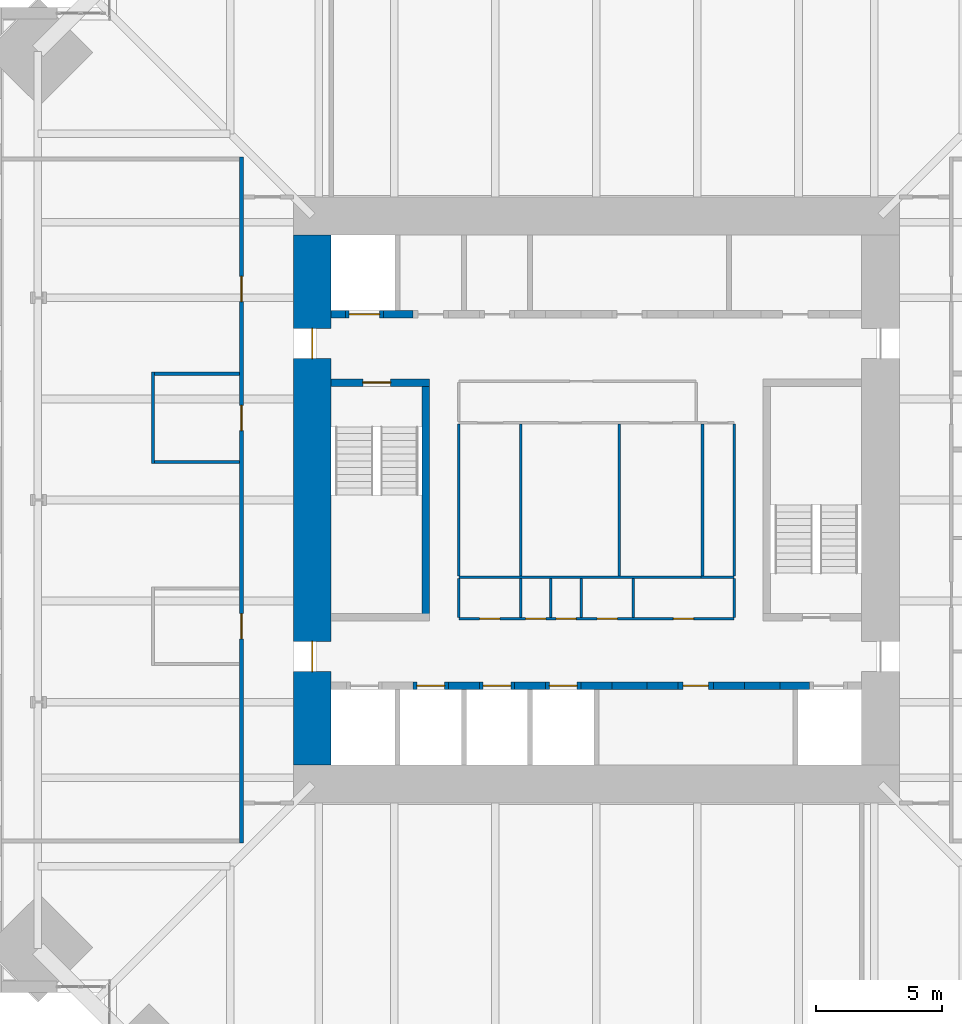
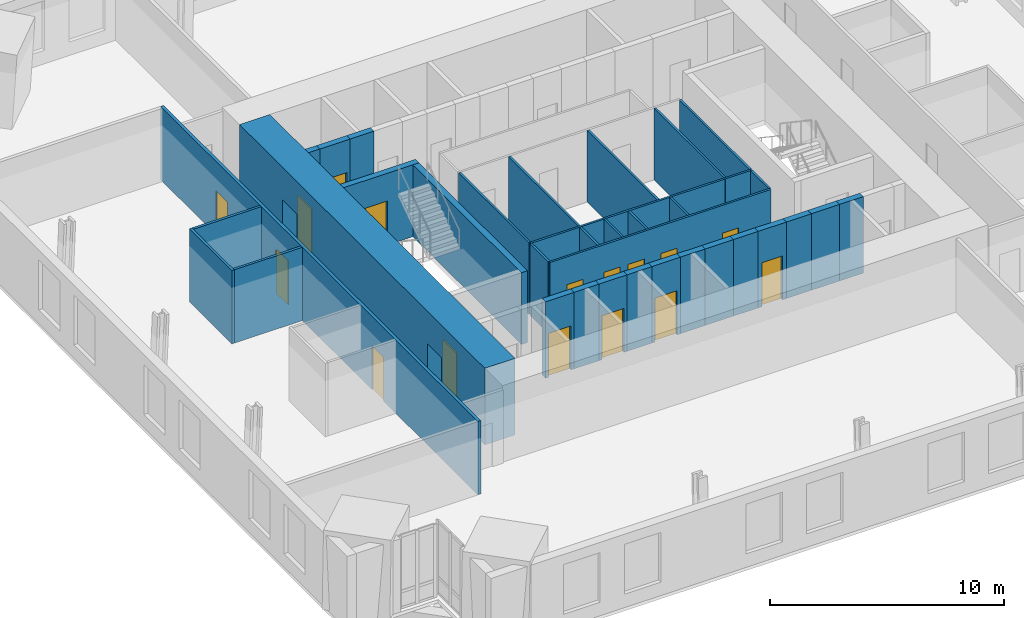
# One storey, part 11 of 15: 36 walls, 16 doors, 16 openings.
"""IFC4 building model written with IfcOpenShell, lengths in metres."""

from ifc_helpers import new_model, si_unit, direction, frame, frame_2d, origin, place, context, subcontext, project, spatial, rectangle, extrude, material, layer, layer_set, type_object, element, fill, save


model = new_model("IFC4")

# Units and contexts
model_context = context("Model", 3, precision=1e-05, world=origin(), true_north=direction((0.0, 1.0)))
body_context = subcontext(model_context, "Body", "Model", "MODEL_VIEW")
ifc_project = project(units=[si_unit("LENGTHUNIT", "METRE"), si_unit("AREAUNIT", "SQUARE_METRE"), si_unit("VOLUMEUNIT", "CUBIC_METRE"), si_unit("PLANEANGLEUNIT", "RADIAN"), si_unit("MASSUNIT", "GRAM", prefix="KILO")], contexts=[model_context])

# Site, building, storey
site_placement = place(None, origin())
site = spatial("IfcSite", under=ifc_project, at=site_placement, CompositionType="ELEMENT")
building_placement = place(site_placement, origin())
building = spatial("IfcBuilding", under=site, at=building_placement, Name="Peilmerk Tower", CompositionType="ELEMENT")
storey_placement = place(building_placement, frame((0.0, 0.0, 217.800048828125)))
storey = spatial("IfcBuildingStorey", under=building, at=storey_placement, Name="L47", CompositionType="ELEMENT", Elevation=217.800048828125)

# Wall, openings, doors
ifc_material_1 = material(Name="Calcium silicate block", Category="masonry")
ifc_layer_1 = layer(ifc_material_1, 0.14990234375)
ifc_layer_set_1 = layer_set([ifc_layer_1], Name="Calcium silicate block")
wall_type_1 = type_object("IfcWallType", Name="IW1 150 corridor partition, EI 60", PredefinedType="PARTITIONING", material=ifc_layer_set_1)
wall_1_placement = place(storey_placement, frame((-14.050048828125, 13.574951171875, 0.0), z_axis=(0.0, 0.0, 1.0), x_axis=(0.0, -1.0, 0.0)))
wall_1 = element("IfcWall", 1, at=wall_1_placement, inside=storey, type_object=wall_type_1, Name="Corridor wall W L47", PredefinedType="PARTITIONING", context=body_context, shape_type="SweptSolid", body=[
    extrude(rectangle(XDim=27.14990234375, YDim=0.14990234375, at=frame_2d((13.574951171875, 0.0))), origin(), (0.0, 0.0, 1.0), 3.829833984375),
])
opening_1_placement = place(wall_1_placement, frame((4.72509765625, 0.0, 0.0)))
opening_1 = element("IfcOpeningElement", 2, at=opening_1_placement, cuts=wall_1, Name="Opening D1", PredefinedType="OPENING", context=body_context, shape_type="SweptSolid", body=[
    extrude(rectangle(XDim=1.0, YDim=2.300048828125, at=frame_2d((0.5, 1.14990234375))), frame((0.0, 0.0849609375, 0.0), z_axis=(0.0, -1.0, 0.0), x_axis=(1.0, 0.0, 0.0)), (0.0, 0.0, 1.0), 0.169921875),
])
opening_2_placement = place(wall_1_placement, frame((9.824951171875, 0.0, 0.0)))
opening_2 = element("IfcOpeningElement", 3, at=opening_2_placement, cuts=wall_1, Name="Opening D1", PredefinedType="OPENING", context=body_context, shape_type="SweptSolid", body=[
    extrude(rectangle(XDim=1.0, YDim=2.300048828125, at=frame_2d((0.5, 1.14990234375))), frame((0.0, 0.0849609375, 0.0), z_axis=(0.0, -1.0, 0.0), x_axis=(1.0, 0.0, 0.0)), (0.0, 0.0, 1.0), 0.169921875),
])
opening_3_placement = place(wall_1_placement, frame((18.074951171875, 0.0, 0.0)))
opening_3 = element("IfcOpeningElement", 4, at=opening_3_placement, cuts=wall_1, Name="Opening D1", PredefinedType="OPENING", context=body_context, shape_type="SweptSolid", body=[
    extrude(rectangle(XDim=1.0, YDim=2.300048828125, at=frame_2d((0.5, 1.14990234375))), frame((0.0, 0.0849609375, 0.0), z_axis=(0.0, -1.0, 0.0), x_axis=(1.0, 0.0, 0.0)), (0.0, 0.0, 1.0), 0.169921875),
])
ifc_material_2 = material(Name="Timber door in steel frame", Category="steel")
door_type_1 = type_object("IfcDoorType", Name="D1 1000x2300 room door, EI2 30", OperationType="SINGLE_SWING_LEFT", PredefinedType="DOOR", material=ifc_material_2)
door_1_placement = place(opening_1_placement, frame((1.0, 0.0, 0.0), z_axis=(0.0, 0.0, 1.0), x_axis=(-1.0, 0.0, 0.0)))
door_1 = element("IfcDoor", 5, at=door_1_placement, inside=storey, type_object=door_type_1, Name="Door Office L47", OperationType="SINGLE_SWING_LEFT", OverallHeight=2.300048828125, OverallWidth=1.0, PredefinedType="DOOR", context=body_context, shape_type="SweptSolid", body=[
    extrude(rectangle(XDim=1.0, YDim=2.300048828125, at=frame_2d((0.5, 1.14990234375))), frame((0.0, 0.02490234375, 0.0), z_axis=(0.0, -1.0, 0.0), x_axis=(1.0, 0.0, 0.0)), (0.0, 0.0, 1.0), 0.050048828125),
])
fill(opening_1, door_1)
door_2_placement = place(opening_2_placement, frame((1.0, 0.0, 0.0), z_axis=(0.0, 0.0, 1.0), x_axis=(-1.0, 0.0, 0.0)))
door_2 = element("IfcDoor", 6, at=door_2_placement, inside=storey, type_object=door_type_1, Name="Door Pantry L47", OperationType="SINGLE_SWING_LEFT", OverallHeight=2.300048828125, OverallWidth=1.0, PredefinedType="DOOR", context=body_context, shape_type="SweptSolid", body=[
    extrude(rectangle(XDim=1.0, YDim=2.300048828125, at=frame_2d((0.5, 1.14990234375))), frame((0.0, 0.02490234375, 0.0), z_axis=(0.0, -1.0, 0.0), x_axis=(1.0, 0.0, 0.0)), (0.0, 0.0, 1.0), 0.050048828125),
])
fill(opening_2, door_2)
door_3_placement = place(opening_3_placement, frame((1.0, 0.0, 0.0), z_axis=(0.0, 0.0, 1.0), x_axis=(-1.0, 0.0, 0.0)))
door_3 = element("IfcDoor", 7, at=door_3_placement, inside=storey, type_object=door_type_1, Name="Door Focus room L47", OperationType="SINGLE_SWING_LEFT", OverallHeight=2.300048828125, OverallWidth=1.0, PredefinedType="DOOR", context=body_context, shape_type="SweptSolid", body=[
    extrude(rectangle(XDim=1.0, YDim=2.300048828125, at=frame_2d((0.5, 1.14990234375))), frame((0.0, 0.02490234375, 0.0), z_axis=(0.0, -1.0, 0.0), x_axis=(1.0, 0.0, 0.0)), (0.0, 0.0, 1.0), 0.050048828125),
])
fill(opening_3, door_3)

# Wall
ifc_material_3 = material(Name="Concrete C35/45", Category="concrete")
ifc_layer_2 = layer(ifc_material_3, 0.300048828125)
ifc_layer_set_2 = layer_set([ifc_layer_2], Name="Concrete C35/45")
wall_type_2 = type_object("IfcWallType", Name="IW3 300 concrete stair enclosure wall, EI 120", PredefinedType="SOLIDWALL", material=ifc_layer_set_2)
wall_2_placement = place(storey_placement, frame((-6.75, -4.800048828125, 0.0), z_axis=(0.0, 0.0, 1.0), x_axis=(0.0, 1.0, 0.0)))
element("IfcWall", 8, at=wall_2_placement, inside=storey, type_object=wall_type_2, Name="Stair 1 enclosure L47", PredefinedType="SOLIDWALL", context=body_context, shape_type="SweptSolid", body=[
    extrude(rectangle(XDim=9.60009765625, YDim=0.300048828125, at=frame_2d((4.800048828125, 0.0))), origin(), (0.0, 0.0, 1.0), 3.75),
])

# Wall, opening, door
wall_3_placement = place(storey_placement, frame((-10.5, 4.64990234375, 0.0), z_axis=(0.0, 0.0, 1.0), x_axis=(1.0, 0.0, 0.0)))
wall_3 = element("IfcWall", 9, at=wall_3_placement, inside=storey, type_object=wall_type_2, Name="Stair 1 enclosure L47", PredefinedType="SOLIDWALL", context=body_context, shape_type="SweptSolid", body=[
    extrude(rectangle(XDim=3.89990234375, YDim=0.300048828125, at=frame_2d((1.949951171875, 0.0))), origin(), (0.0, 0.0, 1.0), 3.75),
])
opening_4_placement = place(wall_3_placement, frame((1.25, 0.0, 0.0)))
opening_4 = element("IfcOpeningElement", 10, at=opening_4_placement, cuts=wall_3, Name="Opening D4", PredefinedType="OPENING", context=body_context, shape_type="SweptSolid", body=[
    extrude(rectangle(XDim=1.10009765625, YDim=2.300048828125, at=frame_2d((0.550048828125, 1.14990234375))), frame((0.0, 0.159912109375, 0.0), z_axis=(0.0, -1.0, 0.0), x_axis=(1.0, 0.0, 0.0)), (0.0, 0.0, 1.0), 0.320068359375),
])
ifc_material_4 = material(Name="Steel door in steel frame", Category="steel")
door_type_2 = type_object("IfcDoorType", Name="D4 1100x2300 stair door, EI2 60", OperationType="SINGLE_SWING_RIGHT", PredefinedType="DOOR", material=ifc_material_4)
door_4_placement = place(opening_4_placement, frame((1.10009765625, 0.0, 0.0), z_axis=(0.0, 0.0, 1.0), x_axis=(-1.0, 0.0, 0.0)))
door_4 = element("IfcDoor", 11, at=door_4_placement, inside=storey, type_object=door_type_2, Name="Stair 1 door L47", OperationType="SINGLE_SWING_RIGHT", OverallHeight=2.300048828125, OverallWidth=1.10009765625, PredefinedType="DOOR", context=body_context, shape_type="SweptSolid", body=[
    extrude(rectangle(XDim=1.10009765625, YDim=2.300048828125, at=frame_2d((0.550048828125, 1.14990234375))), frame((0.0, 0.02490234375, 0.0), z_axis=(0.0, -1.0, 0.0), x_axis=(1.0, 0.0, 0.0)), (0.0, 0.0, 1.0), 0.050048828125),
])
fill(opening_4, door_4)

# Walls
ifc_material_5 = material(Name="Plasterboard on steel studs", Category="steel")
ifc_layer_3 = layer(ifc_material_5, 0.10009765625)
ifc_layer_set_3 = layer_set([ifc_layer_3], Name="Plasterboard on steel studs")
wall_type_3 = type_object("IfcWallType", Name="IW4 100 WC partition", PredefinedType="PARTITIONING", material=ifc_layer_set_3)
wall_4_placement = place(storey_placement, frame((4.14990234375, -3.050048828125, 0.0), z_axis=(0.0, 0.0, 1.0), x_axis=(-1.0, 0.0, 0.0)))
element("IfcWall", 12, at=wall_4_placement, inside=storey, type_object=wall_type_3, Name="WC wall L47", PredefinedType="PARTITIONING", context=body_context, shape_type="SweptSolid", body=[
    extrude(rectangle(XDim=9.599853515625, YDim=0.10009765625, at=frame_2d((4.7998046875, 0.0))), origin(), (0.0, 0.0, 1.0), 3.75),
])
for number, where, z_axis, x_axis, name in (
    (13, (-5.449951171875, -3.0, 0.0), (0.0, 0.0, 1.0), (0.0, 1.0, 0.0), "WC wall L47"),
    (14, (-3.0, -3.0, 0.0), (0.0, 0.0, 1.0), (0.0, 1.0, 0.0), "WC wall L47"),
    (15, (0.89990234375, -3.0, 0.0), (0.0, 0.0, 1.0), (0.0, 1.0, 0.0), "WC wall L47"),
):
    element("IfcWall", number, at=place(storey_placement, frame(where, z_axis=z_axis, x_axis=x_axis)), inside=storey, type_object=wall_type_3, Name=name, PredefinedType="PARTITIONING", context=body_context, shape_type="SweptSolid", body=[
        extrude(rectangle(XDim=6.0, YDim=0.10009765625, at=frame_2d((3.0, 0.0))), origin(), (0.0, 0.0, 1.0), 3.75),
    ])
ifc_material_6 = material(Name="Calcium silicate board on steel studs", Category="steel")
ifc_layer_4 = layer(ifc_material_6, 0.10009765625)
ifc_layer_set_4 = layer_set([ifc_layer_4], Name="Calcium silicate board on steel studs")
wall_type_4 = type_object("IfcWallType", Name="IW5 100 riser enclosure wall, EI 60", PredefinedType="PARTITIONING", material=ifc_layer_set_4)
wall_5_placement = place(storey_placement, frame((5.449951171875, -3.050048828125, 0.0), z_axis=(0.0, 0.0, 1.0), x_axis=(-1.0, 0.0, 0.0)))
element("IfcWall", 16, at=wall_5_placement, inside=storey, type_object=wall_type_4, Name="Riser wall L47", PredefinedType="PARTITIONING", context=body_context, shape_type="SweptSolid", body=[
    extrude(rectangle(XDim=1.300048828125, YDim=0.10009765625, at=frame_2d((0.64990234375, 0.0))), origin(), (0.0, 0.0, 1.0), 3.75),
])
for number, where, z_axis, x_axis, name in (
    (17, (5.449951171875, 3.0, 0.0), (0.0, 0.0, 1.0), (0.0, -1.0, 0.0), "Riser wall L47"),
    (18, (4.199951171875, -3.0, 0.0), (0.0, 0.0, 1.0), (0.0, 1.0, 0.0), "Riser wall L47"),
):
    element("IfcWall", number, at=place(storey_placement, frame(where, z_axis=z_axis, x_axis=x_axis)), inside=storey, type_object=wall_type_4, Name=name, PredefinedType="PARTITIONING", context=body_context, shape_type="SweptSolid", body=[
        extrude(rectangle(XDim=6.0, YDim=0.10009765625, at=frame_2d((3.0, 0.0))), origin(), (0.0, 0.0, 1.0), 3.75),
    ])

# Wall, openings, doors
wall_6_placement = place(storey_placement, frame((5.449951171875, -4.699951171875, 0.0), z_axis=(0.0, 0.0, 1.0), x_axis=(-1.0, 0.0, 0.0)))
wall_6 = element("IfcWall", 19, at=wall_6_placement, inside=storey, type_object=wall_type_4, Name="Riser wall L47", PredefinedType="PARTITIONING", context=body_context, shape_type="SweptSolid", body=[
    extrude(rectangle(XDim=10.89990234375, YDim=0.10009765625, at=frame_2d((5.449951171875, 0.0))), origin(), (0.0, 0.0, 1.0), 3.75),
])
opening_5_placement = place(wall_6_placement, frame((9.27490234375, 0.0, 0.0)))
opening_5 = element("IfcOpeningElement", 20, at=opening_5_placement, cuts=wall_6, Name="Opening D7", PredefinedType="OPENING", context=body_context, shape_type="SweptSolid", body=[
    extrude(rectangle(XDim=0.800048828125, YDim=2.300048828125, at=frame_2d((0.39990234375, 1.14990234375))), frame((0.0, 0.06005859375, 0.0), z_axis=(0.0, -1.0, 0.0), x_axis=(1.0, 0.0, 0.0)), (0.0, 0.0, 1.0), 0.1201171875),
])
opening_6_placement = place(wall_6_placement, frame((7.449951171875, 0.0, 0.0)))
opening_6 = element("IfcOpeningElement", 21, at=opening_6_placement, cuts=wall_6, Name="Opening D7", PredefinedType="OPENING", context=body_context, shape_type="SweptSolid", body=[
    extrude(rectangle(XDim=0.800048828125, YDim=2.300048828125, at=frame_2d((0.39990234375, 1.14990234375))), frame((0.0, 0.06005859375, 0.0), z_axis=(0.0, -1.0, 0.0), x_axis=(1.0, 0.0, 0.0)), (0.0, 0.0, 1.0), 0.1201171875),
])
opening_7_placement = place(wall_6_placement, frame((6.25, 0.0, 0.0)))
opening_7 = element("IfcOpeningElement", 22, at=opening_7_placement, cuts=wall_6, Name="Opening D7", PredefinedType="OPENING", context=body_context, shape_type="SweptSolid", body=[
    extrude(rectangle(XDim=0.800048828125, YDim=2.300048828125, at=frame_2d((0.39990234375, 1.14990234375))), frame((0.0, 0.06005859375, 0.0), z_axis=(0.0, -1.0, 0.0), x_axis=(1.0, 0.0, 0.0)), (0.0, 0.0, 1.0), 0.1201171875),
])
opening_8_placement = place(wall_6_placement, frame((4.625, 0.0, 0.0)))
opening_8 = element("IfcOpeningElement", 23, at=opening_8_placement, cuts=wall_6, Name="Opening D7", PredefinedType="OPENING", context=body_context, shape_type="SweptSolid", body=[
    extrude(rectangle(XDim=0.800048828125, YDim=2.300048828125, at=frame_2d((0.39990234375, 1.14990234375))), frame((0.0, 0.06005859375, 0.0), z_axis=(0.0, -1.0, 0.0), x_axis=(1.0, 0.0, 0.0)), (0.0, 0.0, 1.0), 0.1201171875),
])
opening_9_placement = place(wall_6_placement, frame((1.60009765625, 0.0, 0.0)))
opening_9 = element("IfcOpeningElement", 24, at=opening_9_placement, cuts=wall_6, Name="Opening D7", PredefinedType="OPENING", context=body_context, shape_type="SweptSolid", body=[
    extrude(rectangle(XDim=0.800048828125, YDim=2.300048828125, at=frame_2d((0.39990234375, 1.14990234375))), frame((0.0, 0.06005859375, 0.0), z_axis=(0.0, -1.0, 0.0), x_axis=(1.0, 0.0, 0.0)), (0.0, 0.0, 1.0), 0.1201171875),
])
door_type_3 = type_object("IfcDoorType", Name="D7 800x2300 riser access door, EI2 60", OperationType="SINGLE_SWING_RIGHT", PredefinedType="DOOR", material=ifc_material_4)
door_5_placement = place(opening_5_placement, frame((0.800048828125, 0.0, 0.0), z_axis=(0.0, 0.0, 1.0), x_axis=(-1.0, 0.0, 0.0)))
door_5 = element("IfcDoor", 25, at=door_5_placement, inside=storey, type_object=door_type_3, Name="Cleaner's cupboard door L47", OperationType="SINGLE_SWING_RIGHT", OverallHeight=2.300048828125, OverallWidth=0.800048828125, PredefinedType="DOOR", context=body_context, shape_type="SweptSolid", body=[
    extrude(rectangle(XDim=0.800048828125, YDim=2.300048828125, at=frame_2d((0.39990234375, 1.14990234375))), frame((0.0, 0.02490234375, 0.0), z_axis=(0.0, -1.0, 0.0), x_axis=(1.0, 0.0, 0.0)), (0.0, 0.0, 1.0), 0.050048828125),
])
fill(opening_5, door_5)
door_6_placement = place(opening_6_placement, frame((0.800048828125, 0.0, 0.0), z_axis=(0.0, 0.0, 1.0), x_axis=(-1.0, 0.0, 0.0)))
door_6 = element("IfcDoor", 26, at=door_6_placement, inside=storey, type_object=door_type_3, Name="Electrical riser door L47", OperationType="SINGLE_SWING_RIGHT", OverallHeight=2.300048828125, OverallWidth=0.800048828125, PredefinedType="DOOR", context=body_context, shape_type="SweptSolid", body=[
    extrude(rectangle(XDim=0.800048828125, YDim=2.300048828125, at=frame_2d((0.39990234375, 1.14990234375))), frame((0.0, 0.02490234375, 0.0), z_axis=(0.0, -1.0, 0.0), x_axis=(1.0, 0.0, 0.0)), (0.0, 0.0, 1.0), 0.050048828125),
])
fill(opening_6, door_6)
door_7_placement = place(opening_7_placement, frame((0.800048828125, 0.0, 0.0), z_axis=(0.0, 0.0, 1.0), x_axis=(-1.0, 0.0, 0.0)))
door_7 = element("IfcDoor", 27, at=door_7_placement, inside=storey, type_object=door_type_3, Name="Data riser door L47", OperationType="SINGLE_SWING_RIGHT", OverallHeight=2.300048828125, OverallWidth=0.800048828125, PredefinedType="DOOR", context=body_context, shape_type="SweptSolid", body=[
    extrude(rectangle(XDim=0.800048828125, YDim=2.300048828125, at=frame_2d((0.39990234375, 1.14990234375))), frame((0.0, 0.02490234375, 0.0), z_axis=(0.0, -1.0, 0.0), x_axis=(1.0, 0.0, 0.0)), (0.0, 0.0, 1.0), 0.050048828125),
])
fill(opening_7, door_7)
door_8_placement = place(opening_8_placement, frame((0.800048828125, 0.0, 0.0), z_axis=(0.0, 0.0, 1.0), x_axis=(-1.0, 0.0, 0.0)))
door_8 = element("IfcDoor", 28, at=door_8_placement, inside=storey, type_object=door_type_3, Name="Electrical room door L47", OperationType="SINGLE_SWING_RIGHT", OverallHeight=2.300048828125, OverallWidth=0.800048828125, PredefinedType="DOOR", context=body_context, shape_type="SweptSolid", body=[
    extrude(rectangle(XDim=0.800048828125, YDim=2.300048828125, at=frame_2d((0.39990234375, 1.14990234375))), frame((0.0, 0.02490234375, 0.0), z_axis=(0.0, -1.0, 0.0), x_axis=(1.0, 0.0, 0.0)), (0.0, 0.0, 1.0), 0.050048828125),
])
fill(opening_8, door_8)
door_9_placement = place(opening_9_placement, frame((0.800048828125, 0.0, 0.0), z_axis=(0.0, 0.0, 1.0), x_axis=(-1.0, 0.0, 0.0)))
door_9 = element("IfcDoor", 29, at=door_9_placement, inside=storey, type_object=door_type_3, Name="Comms room door L47", OperationType="SINGLE_SWING_RIGHT", OverallHeight=2.300048828125, OverallWidth=0.800048828125, PredefinedType="DOOR", context=body_context, shape_type="SweptSolid", body=[
    extrude(rectangle(XDim=0.800048828125, YDim=2.300048828125, at=frame_2d((0.39990234375, 1.14990234375))), frame((0.0, 0.02490234375, 0.0), z_axis=(0.0, -1.0, 0.0), x_axis=(1.0, 0.0, 0.0)), (0.0, 0.0, 1.0), 0.050048828125),
])
fill(opening_9, door_9)

# Walls
for number, where, z_axis, x_axis, name in (
    (30, (-5.449951171875, -3.10009765625, 0.0), (0.0, 0.0, 1.0), (0.0, -1.0, 0.0), "Riser wall L47"),
    (31, (5.449951171875, -3.10009765625, 0.0), (0.0, 0.0, 1.0), (0.0, -1.0, 0.0), "Riser wall L47"),
    (32, (-3.0, -3.10009765625, 0.0), (0.0, 0.0, 1.0), (0.0, -1.0, 0.0), "Riser wall L47"),
    (33, (-1.800048828125, -3.10009765625, 0.0), (0.0, 0.0, 1.0), (0.0, -1.0, 0.0), "Riser wall L47"),
    (34, (-0.60009765625, -3.10009765625, 0.0), (0.0, 0.0, 1.0), (0.0, -1.0, 0.0), "Riser wall L47"),
    (35, (1.449951171875, -3.10009765625, 0.0), (0.0, 0.0, 1.0), (0.0, -1.0, 0.0), "Riser wall L47"),
):
    element("IfcWall", number, at=place(storey_placement, frame(where, z_axis=z_axis, x_axis=x_axis)), inside=storey, type_object=wall_type_4, Name=name, PredefinedType="PARTITIONING", context=body_context, shape_type="SweptSolid", body=[
        extrude(rectangle(XDim=1.5498046875, YDim=0.10009765625, at=frame_2d((0.77490234375, 0.0))), origin(), (0.0, 0.0, 1.0), 3.75),
    ])
ifc_material_7 = material(Name="Plasterboard on steel studs, double boarded with mineral wool", Category="steel")
ifc_layer_5 = layer(ifc_material_7, 0.125)
ifc_layer_set_5 = layer_set([ifc_layer_5], Name="Plasterboard on steel studs, double boarded with mineral wool")
wall_type_5 = type_object("IfcWallType", Name="IW7 125 acoustic partition, EI 30", PredefinedType="PARTITIONING", material=ifc_layer_set_5)
wall_7_placement = place(storey_placement, frame((-17.550048828125, 1.4375, 0.0), z_axis=(0.0, 0.0, 1.0), x_axis=(0.0, 1.0, 0.0)))
element("IfcWall", 36, at=wall_7_placement, inside=storey, type_object=wall_type_5, Name="Acoustic partition Pantry L47", PredefinedType="PARTITIONING", context=body_context, shape_type="SweptSolid", body=[
    extrude(rectangle(XDim=3.625, YDim=0.125, at=frame_2d((1.8125, 0.0))), origin(), (0.0, 0.0, 1.0), 3.829833984375),
])
for number, where, z_axis, x_axis, name in (
    (37, (-14.125, 1.5, 0.0), (0.0, 0.0, 1.0), (-1.0, 0.0, 0.0), "Acoustic partition Pantry L47"),
    (38, (-14.125, 5.0, 0.0), (0.0, 0.0, 1.0), (-1.0, 0.0, 0.0), "Acoustic partition Pantry L47"),
):
    element("IfcWall", number, at=place(storey_placement, frame(where, z_axis=z_axis, x_axis=x_axis)), inside=storey, type_object=wall_type_5, Name=name, PredefinedType="PARTITIONING", context=body_context, shape_type="SweptSolid", body=[
        extrude(rectangle(XDim=3.362548828125, YDim=0.125, at=frame_2d((1.68115234375, 0.0))), origin(), (0.0, 0.0, 1.0), 3.829833984375),
    ])

# Wall, opening, door
ifc_layer_6 = layer(ifc_material_1, 0.300048828125)
ifc_layer_set_6 = layer_set([ifc_layer_6], Name="Calcium silicate block")
wall_type_6 = type_object("IfcWallType", Name="SH2 300 lift landing door panel, EI 120", PredefinedType="PARTITIONING", material=ifc_layer_set_6)
wall_8_placement = place(storey_placement, frame((-9.9375, 7.35009765625, 0.0), z_axis=(0.0, 0.0, 1.0), x_axis=(1.0, 0.0, 0.0)))
wall_8 = element("IfcWall", 39, at=wall_8_placement, inside=storey, type_object=wall_type_6, Name="Lift door panel N FL1 L47", PredefinedType="PARTITIONING", context=body_context, shape_type="SweptSolid", body=[
    extrude(rectangle(XDim=1.5, YDim=0.300048828125, at=frame_2d((0.75, 0.0))), origin(), (0.0, 0.0, 1.0), 4.0),
])
opening_10_placement = place(wall_8_placement, frame((0.14990234375, 0.0, 0.0)))
opening_10 = element("IfcOpeningElement", 40, at=opening_10_placement, cuts=wall_8, Name="Opening LD2", PredefinedType="OPENING", context=body_context, shape_type="SweptSolid", body=[
    extrude(rectangle(XDim=1.199951171875, YDim=2.300048828125, at=frame_2d((0.60009765625, 1.14990234375))), frame((0.0, 0.159912109375, 0.0), z_axis=(0.0, -1.0, 0.0), x_axis=(1.0, 0.0, 0.0)), (0.0, 0.0, 1.0), 0.320068359375),
])
ifc_material_8 = material(Name="Stainless steel landing door", Category="steel")
door_type_4 = type_object("IfcDoorType", Name="LD2 1200x2300 lift landing door, sliding, EI2 60", OperationType="SLIDING_TO_LEFT", PredefinedType="DOOR", material=ifc_material_8)
door_10_placement = place(opening_10_placement, frame((1.199951171875, 0.0, 0.0), z_axis=(0.0, 0.0, 1.0), x_axis=(-1.0, 0.0, 0.0)))
door_10 = element("IfcDoor", 41, at=door_10_placement, inside=storey, type_object=door_type_4, Name="Lift landing door FL1 L47", OperationType="SLIDING_TO_LEFT", OverallHeight=2.300048828125, OverallWidth=1.199951171875, PredefinedType="DOOR", context=body_context, shape_type="SweptSolid", body=[
    extrude(rectangle(XDim=1.199951171875, YDim=2.300048828125, at=frame_2d((0.60009765625, 1.14990234375))), frame((0.0, 0.02490234375, 0.0), z_axis=(0.0, -1.0, 0.0), x_axis=(1.0, 0.0, 0.0)), (0.0, 0.0, 1.0), 0.050048828125),
])
fill(opening_10, door_10)

wall_9_placement = place(storey_placement, frame((-7.262451171875, -7.35009765625, 0.0), z_axis=(0.0, 0.0, 1.0), x_axis=(1.0, 0.0, 0.0)))
wall_9 = element("IfcWall", 42, at=wall_9_placement, inside=storey, type_object=wall_type_6, Name="Lift door panel S C3 L47", PredefinedType="PARTITIONING", context=body_context, shape_type="SweptSolid", body=[
    extrude(rectangle(XDim=1.39990234375, YDim=0.300048828125, at=frame_2d((0.699951171875, 0.0))), origin(), (0.0, 0.0, 1.0), 4.0),
])
opening_11_placement = place(wall_9_placement, frame((0.14990234375, 0.0, 0.0)))
opening_11 = element("IfcOpeningElement", 43, at=opening_11_placement, cuts=wall_9, Name="Opening LD1", PredefinedType="OPENING", context=body_context, shape_type="SweptSolid", body=[
    extrude(rectangle(XDim=1.10009765625, YDim=2.300048828125, at=frame_2d((0.550048828125, 1.14990234375))), frame((0.0, 0.159912109375, 0.0), z_axis=(0.0, -1.0, 0.0), x_axis=(1.0, 0.0, 0.0)), (0.0, 0.0, 1.0), 0.320068359375),
])
door_type_5 = type_object("IfcDoorType", Name="LD1 1100x2300 lift landing door, sliding, EI2 60", OperationType="SLIDING_TO_LEFT", PredefinedType="DOOR", material=ifc_material_8)
door_11_placement = place(opening_11_placement, origin())
door_11 = element("IfcDoor", 44, at=door_11_placement, inside=storey, type_object=door_type_5, Name="Lift landing door C3 L47", OperationType="SLIDING_TO_LEFT", OverallHeight=2.300048828125, OverallWidth=1.10009765625, PredefinedType="DOOR", context=body_context, shape_type="SweptSolid", body=[
    extrude(rectangle(XDim=1.10009765625, YDim=2.300048828125, at=frame_2d((0.550048828125, 1.14990234375))), frame((0.0, 0.02490234375, 0.0), z_axis=(0.0, -1.0, 0.0), x_axis=(1.0, 0.0, 0.0)), (0.0, 0.0, 1.0), 0.050048828125),
])
fill(opening_11, door_11)

wall_10_placement = place(storey_placement, frame((-4.637451171875, -7.35009765625, 0.0), z_axis=(0.0, 0.0, 1.0), x_axis=(1.0, 0.0, 0.0)))
wall_10 = element("IfcWall", 45, at=wall_10_placement, inside=storey, type_object=wall_type_6, Name="Lift door panel S C2 L47", PredefinedType="PARTITIONING", context=body_context, shape_type="SweptSolid", body=[
    extrude(rectangle(XDim=1.39990234375, YDim=0.300048828125, at=frame_2d((0.699951171875, 0.0))), origin(), (0.0, 0.0, 1.0), 4.0),
])
opening_12_placement = place(wall_10_placement, frame((0.14990234375, 0.0, 0.0)))
opening_12 = element("IfcOpeningElement", 46, at=opening_12_placement, cuts=wall_10, Name="Opening LD1", PredefinedType="OPENING", context=body_context, shape_type="SweptSolid", body=[
    extrude(rectangle(XDim=1.10009765625, YDim=2.300048828125, at=frame_2d((0.550048828125, 1.14990234375))), frame((0.0, 0.159912109375, 0.0), z_axis=(0.0, -1.0, 0.0), x_axis=(1.0, 0.0, 0.0)), (0.0, 0.0, 1.0), 0.320068359375),
])
door_12_placement = place(opening_12_placement, origin())
door_12 = element("IfcDoor", 47, at=door_12_placement, inside=storey, type_object=door_type_5, Name="Lift landing door C2 L47", OperationType="SLIDING_TO_LEFT", OverallHeight=2.300048828125, OverallWidth=1.10009765625, PredefinedType="DOOR", context=body_context, shape_type="SweptSolid", body=[
    extrude(rectangle(XDim=1.10009765625, YDim=2.300048828125, at=frame_2d((0.550048828125, 1.14990234375))), frame((0.0, 0.02490234375, 0.0), z_axis=(0.0, -1.0, 0.0), x_axis=(1.0, 0.0, 0.0)), (0.0, 0.0, 1.0), 0.050048828125),
])
fill(opening_12, door_12)

wall_11_placement = place(storey_placement, frame((-2.012451171875, -7.35009765625, 0.0), z_axis=(0.0, 0.0, 1.0), x_axis=(1.0, 0.0, 0.0)))
wall_11 = element("IfcWall", 48, at=wall_11_placement, inside=storey, type_object=wall_type_6, Name="Lift door panel S C1 L47", PredefinedType="PARTITIONING", context=body_context, shape_type="SweptSolid", body=[
    extrude(rectangle(XDim=1.39990234375, YDim=0.300048828125, at=frame_2d((0.699951171875, 0.0))), origin(), (0.0, 0.0, 1.0), 4.0),
])
opening_13_placement = place(wall_11_placement, frame((0.14990234375, 0.0, 0.0)))
opening_13 = element("IfcOpeningElement", 49, at=opening_13_placement, cuts=wall_11, Name="Opening LD1", PredefinedType="OPENING", context=body_context, shape_type="SweptSolid", body=[
    extrude(rectangle(XDim=1.10009765625, YDim=2.300048828125, at=frame_2d((0.550048828125, 1.14990234375))), frame((0.0, 0.159912109375, 0.0), z_axis=(0.0, -1.0, 0.0), x_axis=(1.0, 0.0, 0.0)), (0.0, 0.0, 1.0), 0.320068359375),
])
door_13_placement = place(opening_13_placement, origin())
door_13 = element("IfcDoor", 50, at=door_13_placement, inside=storey, type_object=door_type_5, Name="Lift landing door C1 L47", OperationType="SLIDING_TO_LEFT", OverallHeight=2.300048828125, OverallWidth=1.10009765625, PredefinedType="DOOR", context=body_context, shape_type="SweptSolid", body=[
    extrude(rectangle(XDim=1.10009765625, YDim=2.300048828125, at=frame_2d((0.550048828125, 1.14990234375))), frame((0.0, 0.02490234375, 0.0), z_axis=(0.0, -1.0, 0.0), x_axis=(1.0, 0.0, 0.0)), (0.0, 0.0, 1.0), 0.050048828125),
])
fill(opening_13, door_13)

# Wall
wall_12_placement = place(storey_placement, frame((0.612548828125, -7.35009765625, 0.0), z_axis=(0.0, 0.0, 1.0), x_axis=(1.0, 0.0, 0.0)))
element("IfcWall", 51, at=wall_12_placement, inside=storey, type_object=wall_type_6, Name="Lift door panel S B3 L47", PredefinedType="PARTITIONING", context=body_context, shape_type="SweptSolid", body=[
    extrude(rectangle(XDim=1.39990234375, YDim=0.300048828125, at=frame_2d((0.699951171875, 0.0))), origin(), (0.0, 0.0, 1.0), 4.0),
])

# Wall, opening, door
wall_13_placement = place(storey_placement, frame((3.237548828125, -7.35009765625, 0.0), z_axis=(0.0, 0.0, 1.0), x_axis=(1.0, 0.0, 0.0)))
wall_13 = element("IfcWall", 52, at=wall_13_placement, inside=storey, type_object=wall_type_6, Name="Lift door panel S B2 L47", PredefinedType="PARTITIONING", context=body_context, shape_type="SweptSolid", body=[
    extrude(rectangle(XDim=1.39990234375, YDim=0.300048828125, at=frame_2d((0.699951171875, 0.0))), origin(), (0.0, 0.0, 1.0), 4.0),
])
opening_14_placement = place(wall_13_placement, frame((0.199951171875, 0.0, 0.0)))
opening_14 = element("IfcOpeningElement", 53, at=opening_14_placement, cuts=wall_13, Name="Opening D10", PredefinedType="OPENING", context=body_context, shape_type="SweptSolid", body=[
    extrude(rectangle(XDim=1.0, YDim=2.300048828125, at=frame_2d((0.5, 1.14990234375))), frame((0.0, 0.159912109375, 0.0), z_axis=(0.0, -1.0, 0.0), x_axis=(1.0, 0.0, 0.0)), (0.0, 0.0, 1.0), 0.320068359375),
])
door_type_6 = type_object("IfcDoorType", Name="D10 1000x2300 core room door, EI2 60", OperationType="SINGLE_SWING_RIGHT", PredefinedType="DOOR", material=ifc_material_4)
door_14_placement = place(opening_14_placement, frame((1.0, 0.0, 0.0), z_axis=(0.0, 0.0, 1.0), x_axis=(-1.0, 0.0, 0.0)))
door_14 = element("IfcDoor", 54, at=door_14_placement, inside=storey, type_object=door_type_6, Name="Door Mail room L47", OperationType="SINGLE_SWING_RIGHT", OverallHeight=2.300048828125, OverallWidth=1.0, PredefinedType="DOOR", context=body_context, shape_type="SweptSolid", body=[
    extrude(rectangle(XDim=1.0, YDim=2.300048828125, at=frame_2d((0.5, 1.14990234375))), frame((0.0, 0.02490234375, 0.0), z_axis=(0.0, -1.0, 0.0), x_axis=(1.0, 0.0, 0.0)), (0.0, 0.0, 1.0), 0.050048828125),
])
fill(opening_14, door_14)

# Wall
wall_14_placement = place(storey_placement, frame((5.862548828125, -7.35009765625, 0.0), z_axis=(0.0, 0.0, 1.0), x_axis=(1.0, 0.0, 0.0)))
element("IfcWall", 55, at=wall_14_placement, inside=storey, type_object=wall_type_6, Name="Lift door panel S B1 L47", PredefinedType="PARTITIONING", context=body_context, shape_type="SweptSolid", body=[
    extrude(rectangle(XDim=1.39990234375, YDim=0.300048828125, at=frame_2d((0.699951171875, 0.0))), origin(), (0.0, 0.0, 1.0), 4.0),
])

# Wall, openings, doors
ifc_material_9 = material(Name="Concrete C55/67", Category="concrete")
ifc_layer_7 = layer(ifc_material_9, 1.5)
ifc_layer_set_7 = layer_set([ifc_layer_7], Name="Concrete C55/67")
wall_type_7 = type_object("IfcWallType", Name="SW1 1500 core wall", PredefinedType="SHEAR", material=ifc_layer_set_7)
wall_15_placement = place(storey_placement, frame((-11.25, -10.5, 0.0), z_axis=(0.0, 0.0, 1.0), x_axis=(0.0, 1.0, 0.0)))
wall_15 = element("IfcWall", 56, at=wall_15_placement, inside=storey, type_object=wall_type_7, Name="Core wall W L47", PredefinedType="SHEAR", context=body_context, shape_type="SweptSolid", body=[
    extrude(rectangle(XDim=21.0, YDim=1.5, at=frame_2d((10.5, 0.0))), origin(), (0.0, 0.0, 1.0), 4.0),
])
opening_15_placement = place(wall_15_placement, frame((16.10009765625, 0.0, 0.0)))
opening_15 = element("IfcOpeningElement", 57, at=opening_15_placement, cuts=wall_15, Name="Opening D3", PredefinedType="OPENING", context=body_context, shape_type="SweptSolid", body=[
    extrude(rectangle(XDim=1.199951171875, YDim=2.300048828125, at=frame_2d((0.60009765625, 1.14990234375))), frame((0.0, 0.760009765625, 0.0), z_axis=(0.0, -1.0, 0.0), x_axis=(1.0, 0.0, 0.0)), (0.0, 0.0, 1.0), 1.52001953125),
])
opening_16_placement = place(wall_15_placement, frame((3.699951171875, 0.0, 0.0)))
opening_16 = element("IfcOpeningElement", 58, at=opening_16_placement, cuts=wall_15, Name="Opening D3", PredefinedType="OPENING", context=body_context, shape_type="SweptSolid", body=[
    extrude(rectangle(XDim=1.199951171875, YDim=2.300048828125, at=frame_2d((0.60009765625, 1.14990234375))), frame((0.0, 0.760009765625, 0.0), z_axis=(0.0, -1.0, 0.0), x_axis=(1.0, 0.0, 0.0)), (0.0, 0.0, 1.0), 1.52001953125),
])
door_type_7 = type_object("IfcDoorType", Name="D3 1200x2300 core door, EI2 60", OperationType="SINGLE_SWING_LEFT", PredefinedType="DOOR", material=ifc_material_4)
door_15_placement = place(opening_15_placement, frame((1.199951171875, 0.0, 0.0), z_axis=(0.0, 0.0, 1.0), x_axis=(-1.0, 0.0, 0.0)))
door_15 = element("IfcDoor", 59, at=door_15_placement, inside=storey, type_object=door_type_7, Name="Core door L47", OperationType="SINGLE_SWING_LEFT", OverallHeight=2.300048828125, OverallWidth=1.199951171875, PredefinedType="DOOR", context=body_context, shape_type="SweptSolid", body=[
    extrude(rectangle(XDim=1.199951171875, YDim=2.300048828125, at=frame_2d((0.60009765625, 1.14990234375))), frame((0.0, 0.02490234375, 0.0), z_axis=(0.0, -1.0, 0.0), x_axis=(1.0, 0.0, 0.0)), (0.0, 0.0, 1.0), 0.050048828125),
])
fill(opening_15, door_15)
door_16_placement = place(opening_16_placement, frame((1.199951171875, 0.0, 0.0), z_axis=(0.0, 0.0, 1.0), x_axis=(-1.0, 0.0, 0.0)))
door_16 = element("IfcDoor", 60, at=door_16_placement, inside=storey, type_object=door_type_7, Name="Core door L47", OperationType="SINGLE_SWING_LEFT", OverallHeight=2.300048828125, OverallWidth=1.199951171875, PredefinedType="DOOR", context=body_context, shape_type="SweptSolid", body=[
    extrude(rectangle(XDim=1.199951171875, YDim=2.300048828125, at=frame_2d((0.60009765625, 1.14990234375))), frame((0.0, 0.02490234375, 0.0), z_axis=(0.0, -1.0, 0.0), x_axis=(1.0, 0.0, 0.0)), (0.0, 0.0, 1.0), 0.050048828125),
])
fill(opening_16, door_16)

# Walls
ifc_layer_8 = layer(ifc_material_9, 0.300048828125)
ifc_layer_set_8 = layer_set([ifc_layer_8], Name="Concrete C55/67")
wall_type_8 = type_object("IfcWallType", Name="SW2 300 lift bank pier", PredefinedType="SHEAR", material=ifc_layer_set_8)
wall_16_placement = place(storey_placement, frame((-10.5, 7.35009765625, 0.0), z_axis=(0.0, 0.0, 1.0), x_axis=(1.0, 0.0, 0.0)))
element("IfcWall", 61, at=wall_16_placement, inside=storey, type_object=wall_type_8, Name="Lift bank pier N L47", PredefinedType="SHEAR", context=body_context, shape_type="SweptSolid", body=[
    extrude(rectangle(XDim=0.5625, YDim=0.300048828125, at=frame_2d((0.28125, 0.0))), origin(), (0.0, 0.0, 1.0), 4.0),
])
wall_17_placement = place(storey_placement, frame((-8.4375, 7.35009765625, 0.0), z_axis=(0.0, 0.0, 1.0), x_axis=(1.0, 0.0, 0.0)))
element("IfcWall", 62, at=wall_17_placement, inside=storey, type_object=wall_type_8, Name="Lift bank pier N L47", PredefinedType="SHEAR", context=body_context, shape_type="SweptSolid", body=[
    extrude(rectangle(XDim=1.175048828125, YDim=0.300048828125, at=frame_2d((0.58740234375, 0.0))), origin(), (0.0, 0.0, 1.0), 4.0),
])
for number, where, z_axis, x_axis, name in (
    (63, (-5.862548828125, -7.35009765625, 0.0), (0.0, 0.0, 1.0), (1.0, 0.0, 0.0), "Lift bank pier S L47"),
    (64, (-3.237548828125, -7.35009765625, 0.0), (0.0, 0.0, 1.0), (1.0, 0.0, 0.0), "Lift bank pier S L47"),
    (65, (-0.612548828125, -7.35009765625, 0.0), (0.0, 0.0, 1.0), (1.0, 0.0, 0.0), "Lift bank pier S L47"),
    (66, (2.012451171875, -7.35009765625, 0.0), (0.0, 0.0, 1.0), (1.0, 0.0, 0.0), "Lift bank pier S L47"),
    (67, (4.637451171875, -7.35009765625, 0.0), (0.0, 0.0, 1.0), (1.0, 0.0, 0.0), "Lift bank pier S L47"),
):
    element("IfcWall", number, at=place(storey_placement, frame(where, z_axis=z_axis, x_axis=x_axis)), inside=storey, type_object=wall_type_8, Name=name, PredefinedType="SHEAR", context=body_context, shape_type="SweptSolid", body=[
        extrude(rectangle(XDim=1.22509765625, YDim=0.300048828125, at=frame_2d((0.612548828125, 0.0))), origin(), (0.0, 0.0, 1.0), 4.0),
    ])
wall_18_placement = place(storey_placement, frame((7.262451171875, -7.35009765625, 0.0), z_axis=(0.0, 0.0, 1.0), x_axis=(1.0, 0.0, 0.0)))
element("IfcWall", 68, at=wall_18_placement, inside=storey, type_object=wall_type_8, Name="Lift bank pier S L47", PredefinedType="SHEAR", context=body_context, shape_type="SweptSolid", body=[
    extrude(rectangle(XDim=1.175048828125, YDim=0.300048828125, at=frame_2d((0.58740234375, 0.0))), origin(), (0.0, 0.0, 1.0), 4.0),
])

save(model, "model.ifc")
